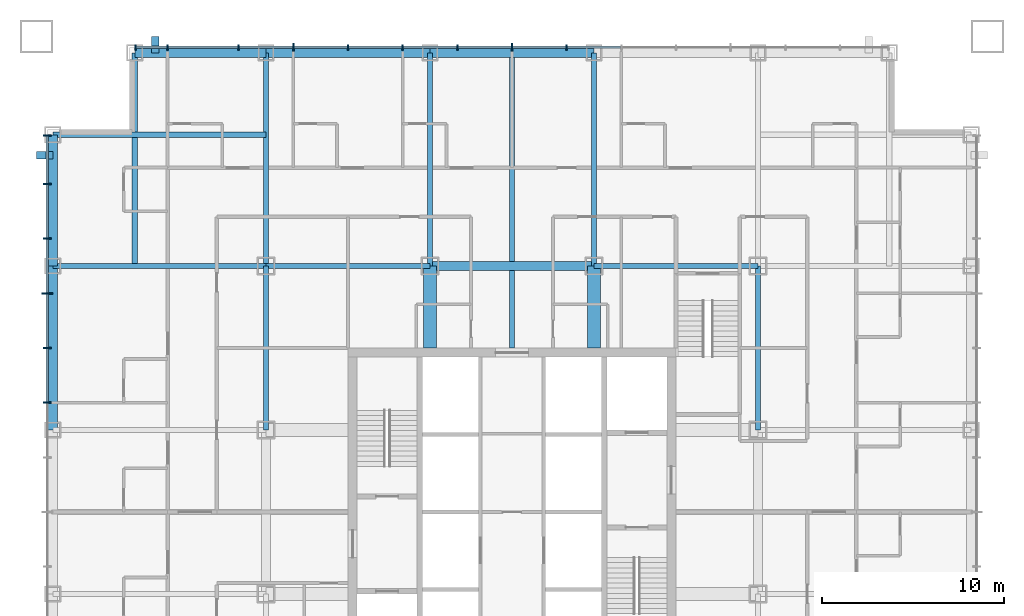
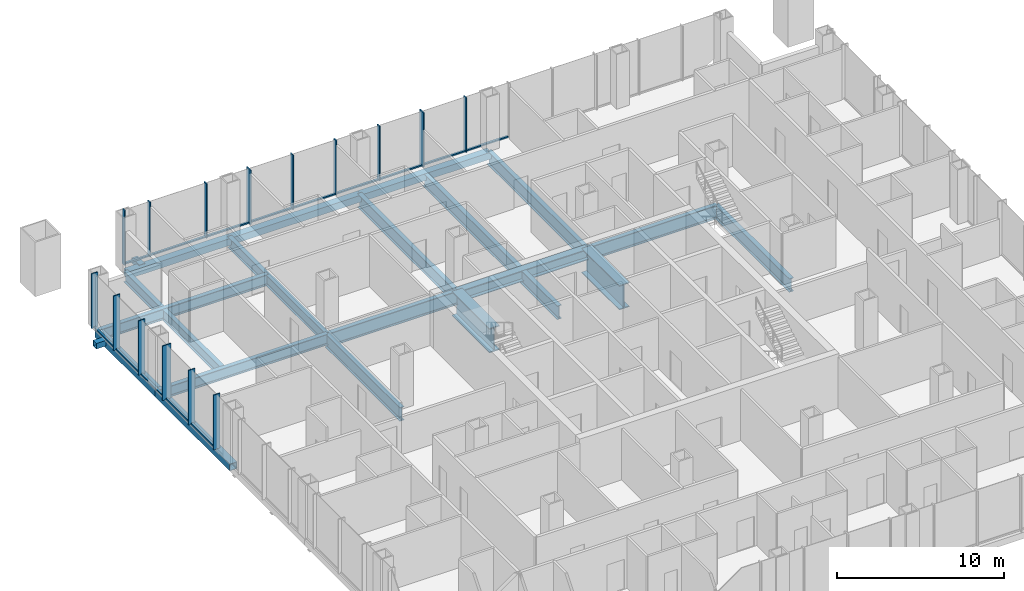
# One storey, part 4 of 12: 31 members, 19 beams, 2 elements without a shape of their own.
"""IFC4 building model written with IfcOpenShell, lengths in metres."""

from ifc_helpers import new_model, si_unit, direction, frame, origin, origin_2d, place, context, subcontext, project, spatial, rectangle, hollow_rectangle, i_section, extrude, material, layer, layer_set, material_profile, profile_set, type_object, element, aggregate, save


model = new_model("IFC4")

# Units and contexts
model_context = context("Model", 3, precision=1e-05, world=origin(), true_north=direction((0.0, 1.0)))
body_context = subcontext(model_context, "Body", "Model", "MODEL_VIEW")
ifc_project = project(units=[si_unit("LENGTHUNIT", "METRE"), si_unit("AREAUNIT", "SQUARE_METRE"), si_unit("VOLUMEUNIT", "CUBIC_METRE"), si_unit("PLANEANGLEUNIT", "RADIAN"), si_unit("MASSUNIT", "GRAM", prefix="KILO")], contexts=[model_context])

# Site, building, storey
site_placement = place(None, origin())
site = spatial("IfcSite", under=ifc_project, at=site_placement, CompositionType="ELEMENT")
building_placement = place(site_placement, origin())
building = spatial("IfcBuilding", under=site, at=building_placement, Name="Malebo Sky Hospital", CompositionType="ELEMENT")
storey_placement = place(building_placement, frame((0.0, 0.0, 59.0)))
storey = spatial("IfcBuildingStorey", under=building, at=storey_placement, Name="L13", CompositionType="ELEMENT", Elevation=59.0)

# Curtain wall, members
ifc_material_1 = material(Name="Anodised aluminium, natural silver", Category="aluminium")
ifc_layer_1 = layer(ifc_material_1, 0.25)
ifc_layer_set_1 = layer_set([ifc_layer_1], Name="WARD CURTAIN WALL NORTH AND SOUTH")
curtain_wall_type_1 = type_object("IfcCurtainWallType", Name="WARD CURTAIN WALL NORTH AND SOUTH", PredefinedType="NOTDEFINED", material=ifc_layer_set_1)
curtain_wall_1_placement = place(storey_placement, origin())
curtain_wall_1 = element("IfcCurtainWall", 1, at=curtain_wall_1_placement, inside=storey, type_object=curtain_wall_type_1, Name="NS curtain wall N", PredefinedType="NOTDEFINED")
ifc_material_profile_1 = material_profile(ifc_material_1, rectangle(XDim=0.14990234375, YDim=0.10009765625, at=origin_2d()), Name="ALUMINIUM TRANSOM 150x100")
ifc_profile_set_1 = profile_set([ifc_material_profile_1], Name="Anodised aluminium, natural silver")
member_type_1 = type_object("IfcMemberType", Name="ALUMINIUM TRANSOM 150x100", PredefinedType="USERDEFINED", material=ifc_profile_set_1)
member_1_placement = place(storey_placement, frame((39.375, 87.5, 0.050048828125), z_axis=(1.0, 0.0, 0.0), x_axis=(0.0, 1.0, 0.0)))
member_1 = element("IfcMember", 2, at=member_1_placement, type_object=member_type_1, Name="Transom 1", ObjectType="TRANSOM", PredefinedType="USERDEFINED", context=body_context, shape_type="SweptSolid", body=[
    extrude(rectangle(XDim=0.14990234375, YDim=0.10009765625, at=origin_2d()), origin(), (0.0, 0.0, 1.0), 1.6875),
])
member_2_placement = place(storey_placement, frame((41.137451171875, 87.5, 0.050048828125), z_axis=(1.0, 0.0, 0.0), x_axis=(0.0, 1.0, 0.0)))
member_2 = element("IfcMember", 3, at=member_2_placement, type_object=member_type_1, Name="Transom 2", ObjectType="TRANSOM", PredefinedType="USERDEFINED", context=body_context, shape_type="SweptSolid", body=[
    extrude(rectangle(XDim=0.14990234375, YDim=0.10009765625, at=origin_2d()), origin(), (0.0, 0.0, 1.0), 3.824951171875),
])
member_3_placement = place(storey_placement, frame((45.03759765625, 87.5, 0.050048828125), z_axis=(1.0, 0.0, 0.0), x_axis=(0.0, 1.0, 0.0)))
member_3 = element("IfcMember", 4, at=member_3_placement, type_object=member_type_1, Name="Transom 3", ObjectType="TRANSOM", PredefinedType="USERDEFINED", context=body_context, shape_type="SweptSolid", body=[
    extrude(rectangle(XDim=0.14990234375, YDim=0.10009765625, at=origin_2d()), origin(), (0.0, 0.0, 1.0), 2.9248046875),
])
member_4_placement = place(storey_placement, frame((48.03759765625, 87.5, 0.050048828125), z_axis=(1.0, 0.0, 0.0), x_axis=(0.0, 1.0, 0.0)))
member_4 = element("IfcMember", 5, at=member_4_placement, type_object=member_type_1, Name="Transom 4", ObjectType="TRANSOM", PredefinedType="USERDEFINED", context=body_context, shape_type="SweptSolid", body=[
    extrude(rectangle(XDim=0.14990234375, YDim=0.10009765625, at=origin_2d()), origin(), (0.0, 0.0, 1.0), 2.9248046875),
])
member_5_placement = place(storey_placement, frame((51.03759765625, 87.5, 0.050048828125), z_axis=(1.0, 0.0, 0.0), x_axis=(0.0, 1.0, 0.0)))
member_5 = element("IfcMember", 6, at=member_5_placement, type_object=member_type_1, Name="Transom 5", ObjectType="TRANSOM", PredefinedType="USERDEFINED", context=body_context, shape_type="SweptSolid", body=[
    extrude(rectangle(XDim=0.14990234375, YDim=0.10009765625, at=origin_2d()), origin(), (0.0, 0.0, 1.0), 2.9248046875),
])
member_6_placement = place(storey_placement, frame((54.03759765625, 87.5, 0.050048828125), z_axis=(1.0, 0.0, 0.0), x_axis=(0.0, 1.0, 0.0)))
member_6 = element("IfcMember", 7, at=member_6_placement, type_object=member_type_1, Name="Transom 6", ObjectType="TRANSOM", PredefinedType="USERDEFINED", context=body_context, shape_type="SweptSolid", body=[
    extrude(rectangle(XDim=0.14990234375, YDim=0.10009765625, at=origin_2d()), origin(), (0.0, 0.0, 1.0), 2.9248046875),
])
member_7_placement = place(storey_placement, frame((57.03759765625, 87.5, 0.050048828125), z_axis=(1.0, 0.0, 0.0), x_axis=(0.0, 1.0, 0.0)))
member_7 = element("IfcMember", 8, at=member_7_placement, type_object=member_type_1, Name="Transom 7", ObjectType="TRANSOM", PredefinedType="USERDEFINED", context=body_context, shape_type="SweptSolid", body=[
    extrude(rectangle(XDim=0.14990234375, YDim=0.10009765625, at=origin_2d()), origin(), (0.0, 0.0, 1.0), 2.9248046875),
])
member_8_placement = place(storey_placement, frame((60.03759765625, 87.5, 0.050048828125), z_axis=(1.0, 0.0, 0.0), x_axis=(0.0, 1.0, 0.0)))
member_8 = element("IfcMember", 9, at=member_8_placement, type_object=member_type_1, Name="Transom 8", ObjectType="TRANSOM", PredefinedType="USERDEFINED", context=body_context, shape_type="SweptSolid", body=[
    extrude(rectangle(XDim=0.14990234375, YDim=0.10009765625, at=origin_2d()), origin(), (0.0, 0.0, 1.0), 2.9248046875),
])
member_9_placement = place(storey_placement, frame((63.03759765625, 87.5, 0.050048828125), z_axis=(1.0, 0.0, 0.0), x_axis=(0.0, 1.0, 0.0)))
member_9 = element("IfcMember", 10, at=member_9_placement, type_object=member_type_1, Name="Transom 9", ObjectType="TRANSOM", PredefinedType="USERDEFINED", context=body_context, shape_type="SweptSolid", body=[
    extrude(rectangle(XDim=0.14990234375, YDim=0.10009765625, at=origin_2d()), origin(), (0.0, 0.0, 1.0), 2.9248046875),
])

ifc_layer_2 = layer(ifc_material_1, 0.25)
ifc_layer_set_2 = layer_set([ifc_layer_2], Name="WARD CURTAIN WALL EAST AND WEST")
curtain_wall_type_2 = type_object("IfcCurtainWallType", Name="WARD CURTAIN WALL EAST AND WEST", PredefinedType="NOTDEFINED", material=ifc_layer_set_2)
curtain_wall_2_placement = place(storey_placement, origin())
curtain_wall_2 = element("IfcCurtainWall", 11, at=curtain_wall_2_placement, inside=storey, type_object=curtain_wall_type_2, Name="EW curtain wall W", PredefinedType="NOTDEFINED")
member_10_placement = place(storey_placement, frame((34.5, 68.03759765625, 0.050048828125), z_axis=(0.0, 1.0, 0.0), x_axis=(-1.0, 0.0, 0.0)))
member_10 = element("IfcMember", 12, at=member_10_placement, type_object=member_type_1, Name="Transom 10", ObjectType="TRANSOM", PredefinedType="USERDEFINED", context=body_context, shape_type="SweptSolid", body=[
    extrude(rectangle(XDim=0.14990234375, YDim=0.10009765625, at=origin_2d()), origin(), (0.0, 0.0, 1.0), 2.9248046875),
])
member_11_placement = place(storey_placement, frame((34.5, 71.03759765625, 0.050048828125), z_axis=(0.0, 1.0, 0.0), x_axis=(-1.0, 0.0, 0.0)))
member_11 = element("IfcMember", 13, at=member_11_placement, type_object=member_type_1, Name="Transom 11", ObjectType="TRANSOM", PredefinedType="USERDEFINED", context=body_context, shape_type="SweptSolid", body=[
    extrude(rectangle(XDim=0.14990234375, YDim=0.10009765625, at=origin_2d()), origin(), (0.0, 0.0, 1.0), 2.9248046875),
])
member_12_placement = place(storey_placement, frame((34.5, 74.03759765625, 0.050048828125), z_axis=(0.0, 1.0, 0.0), x_axis=(-1.0, 0.0, 0.0)))
member_12 = element("IfcMember", 14, at=member_12_placement, type_object=member_type_1, Name="Transom 12", ObjectType="TRANSOM", PredefinedType="USERDEFINED", context=body_context, shape_type="SweptSolid", body=[
    extrude(rectangle(XDim=0.14990234375, YDim=0.10009765625, at=origin_2d()), origin(), (0.0, 0.0, 1.0), 2.9248046875),
])
member_13_placement = place(storey_placement, frame((34.5, 77.03759765625, 0.050048828125), z_axis=(0.0, 1.0, 0.0), x_axis=(-1.0, 0.0, 0.0)))
member_13 = element("IfcMember", 15, at=member_13_placement, type_object=member_type_1, Name="Transom 13", ObjectType="TRANSOM", PredefinedType="USERDEFINED", context=body_context, shape_type="SweptSolid", body=[
    extrude(rectangle(XDim=0.14990234375, YDim=0.10009765625, at=origin_2d()), origin(), (0.0, 0.0, 1.0), 2.9248046875),
])
member_14_placement = place(storey_placement, frame((34.5, 80.03759765625, 0.050048828125), z_axis=(0.0, 1.0, 0.0), x_axis=(-1.0, 0.0, 0.0)))
member_14 = element("IfcMember", 16, at=member_14_placement, type_object=member_type_1, Name="Transom 14", ObjectType="TRANSOM", PredefinedType="USERDEFINED", context=body_context, shape_type="SweptSolid", body=[
    extrude(rectangle(XDim=0.14990234375, YDim=0.10009765625, at=origin_2d()), origin(), (0.0, 0.0, 1.0), 2.58740234375),
])

# Members
ifc_material_2 = material(Name="Steel S355", Category="steel")
ifc_material_profile_2 = material_profile(ifc_material_2, hollow_rectangle(XDim=0.39990234375, YDim=0.39990234375, WallThickness=0.02001953125, at=origin_2d()), Name="SHS 400x20")
ifc_profile_set_2 = profile_set([ifc_material_profile_2], Name="Steel S355")
member_type_2 = type_object("IfcMemberType", Name="BRACE STRUT SHS 400x20", PredefinedType="STRUT", material=ifc_profile_set_2)
for number, where, z_axis, x_axis, name in (
    (17, (40.425048828125, 88.10009765625, -0.39990234375), (0.0, -1.0, 0.0), (1.0, 0.0, 0.0), "Brace strut AN1 L13"),
    (18, (33.89990234375, 81.574951171875, -0.39990234375), (1.0, 0.0, 0.0), (0.0, 1.0, 0.0), "Brace strut AW2 L13"),
):
    element("IfcMember", number, at=place(storey_placement, frame(where, z_axis=z_axis, x_axis=x_axis)), inside=storey, type_object=member_type_2, Name=name, PredefinedType="STRUT", context=body_context, shape_type="SweptSolid", body=[
        extrude(hollow_rectangle(XDim=0.39990234375, YDim=0.39990234375, WallThickness=0.02001953125, at=origin_2d()), origin(), (0.0, 0.0, 1.0), 0.900146484375),
    ])

# Member
ifc_material_profile_3 = material_profile(ifc_material_1, rectangle(XDim=0.074951171875, YDim=0.300048828125, at=origin_2d()), Name="CW1 ALUMINIUM FIN MULLION 75x300")
ifc_profile_set_3 = profile_set([ifc_material_profile_3], Name="Anodised aluminium, natural silver")
member_type_3 = type_object("IfcMemberType", Name="CW1 ALUMINIUM FIN MULLION 75x300", PredefinedType="MULLION", material=ifc_profile_set_3)
member_15_placement = place(storey_placement, frame((39.33740234375, 87.5, 0.0), z_axis=(0.0, 0.0, 1.0), x_axis=(1.0, 0.0, 0.0)))
member_15 = element("IfcMember", 19, at=member_15_placement, type_object=member_type_3, Name="Fin mullion 1", PredefinedType="MULLION", context=body_context, shape_type="SweptSolid", body=[
    extrude(rectangle(XDim=0.074951171875, YDim=0.300048828125, at=origin_2d()), origin(), (0.0, 0.0, 1.0), 4.0),
])

member_16_placement = place(storey_placement, frame((41.10009765625, 87.5, 0.0), z_axis=(0.0, 0.0, 1.0), x_axis=(1.0, 0.0, 0.0)))
member_16 = element("IfcMember", 20, at=member_16_placement, type_object=member_type_3, Name="Fin mullion 2", PredefinedType="MULLION", context=body_context, shape_type="SweptSolid", body=[
    extrude(rectangle(XDim=0.074951171875, YDim=0.300048828125, at=origin_2d()), origin(), (0.0, 0.0, 1.0), 4.0),
])

member_17_placement = place(storey_placement, frame((45.0, 87.5, 0.0), z_axis=(0.0, 0.0, 1.0), x_axis=(1.0, 0.0, 0.0)))
member_17 = element("IfcMember", 21, at=member_17_placement, type_object=member_type_3, Name="Fin mullion 3", PredefinedType="MULLION", context=body_context, shape_type="SweptSolid", body=[
    extrude(rectangle(XDim=0.074951171875, YDim=0.300048828125, at=origin_2d()), origin(), (0.0, 0.0, 1.0), 4.0),
])

member_18_placement = place(storey_placement, frame((51.0, 87.5, 0.0), z_axis=(0.0, 0.0, 1.0), x_axis=(1.0, 0.0, 0.0)))
member_18 = element("IfcMember", 22, at=member_18_placement, type_object=member_type_3, Name="Fin mullion 5", PredefinedType="MULLION", context=body_context, shape_type="SweptSolid", body=[
    extrude(rectangle(XDim=0.074951171875, YDim=0.300048828125, at=origin_2d()), origin(), (0.0, 0.0, 1.0), 4.0),
])

member_19_placement = place(storey_placement, frame((54.0, 87.5, 0.0), z_axis=(0.0, 0.0, 1.0), x_axis=(1.0, 0.0, 0.0)))
member_19 = element("IfcMember", 23, at=member_19_placement, type_object=member_type_3, Name="Fin mullion 6", PredefinedType="MULLION", context=body_context, shape_type="SweptSolid", body=[
    extrude(rectangle(XDim=0.074951171875, YDim=0.300048828125, at=origin_2d()), origin(), (0.0, 0.0, 1.0), 4.0),
])

member_20_placement = place(storey_placement, frame((57.0, 87.5, 0.0), z_axis=(0.0, 0.0, 1.0), x_axis=(1.0, 0.0, 0.0)))
member_20 = element("IfcMember", 24, at=member_20_placement, type_object=member_type_3, Name="Fin mullion 7", PredefinedType="MULLION", context=body_context, shape_type="SweptSolid", body=[
    extrude(rectangle(XDim=0.074951171875, YDim=0.300048828125, at=origin_2d()), origin(), (0.0, 0.0, 1.0), 4.0),
])

member_21_placement = place(storey_placement, frame((63.0, 87.5, 0.0), z_axis=(0.0, 0.0, 1.0), x_axis=(1.0, 0.0, 0.0)))
member_21 = element("IfcMember", 25, at=member_21_placement, type_object=member_type_3, Name="Fin mullion 9", PredefinedType="MULLION", context=body_context, shape_type="SweptSolid", body=[
    extrude(rectangle(XDim=0.074951171875, YDim=0.300048828125, at=origin_2d()), origin(), (0.0, 0.0, 1.0), 4.0),
])

ifc_material_profile_4 = material_profile(ifc_material_1, rectangle(XDim=0.074951171875, YDim=0.449951171875, at=origin_2d()), Name="CW1 ALUMINIUM FIN MULLION 75x450")
ifc_profile_set_4 = profile_set([ifc_material_profile_4], Name="Anodised aluminium, natural silver")
member_type_4 = type_object("IfcMemberType", Name="CW1 ALUMINIUM FIN MULLION 75x450", PredefinedType="MULLION", material=ifc_profile_set_4)
member_22_placement = place(storey_placement, frame((48.0, 87.5, 0.0), z_axis=(0.0, 0.0, 1.0), x_axis=(1.0, 0.0, 0.0)))
member_22 = element("IfcMember", 26, at=member_22_placement, type_object=member_type_4, Name="Fin mullion 4", PredefinedType="MULLION", context=body_context, shape_type="SweptSolid", body=[
    extrude(rectangle(XDim=0.074951171875, YDim=0.449951171875, at=origin_2d()), origin(), (0.0, 0.0, 1.0), 4.0),
])

member_23_placement = place(storey_placement, frame((60.0, 87.5, 0.0), z_axis=(0.0, 0.0, 1.0), x_axis=(1.0, 0.0, 0.0)))
member_23 = element("IfcMember", 27, at=member_23_placement, type_object=member_type_4, Name="Fin mullion 8", PredefinedType="MULLION", context=body_context, shape_type="SweptSolid", body=[
    extrude(rectangle(XDim=0.074951171875, YDim=0.449951171875, at=origin_2d()), origin(), (0.0, 0.0, 1.0), 4.0),
])

aggregate(curtain_wall_1, [member_15, member_16, member_17, member_22, member_18, member_19, member_20, member_23, member_21, member_1, member_2, member_3, member_4, member_5, member_6, member_7, member_8, member_9])

ifc_material_profile_5 = material_profile(ifc_material_1, rectangle(XDim=0.074951171875, YDim=0.449951171875, at=origin_2d()), Name="CW2 ALUMINIUM FIN MULLION 75x450")
ifc_profile_set_5 = profile_set([ifc_material_profile_5], Name="Anodised aluminium, natural silver")
member_type_5 = type_object("IfcMemberType", Name="CW2 ALUMINIUM FIN MULLION 75x450", PredefinedType="MULLION", material=ifc_profile_set_5)
member_24_placement = place(storey_placement, frame((34.5, 68.0, 0.0), z_axis=(0.0, 0.0, 1.0), x_axis=(0.0, 1.0, 0.0)))
member_24 = element("IfcMember", 28, at=member_24_placement, type_object=member_type_5, Name="Fin mullion 10", PredefinedType="MULLION", context=body_context, shape_type="SweptSolid", body=[
    extrude(rectangle(XDim=0.074951171875, YDim=0.449951171875, at=origin_2d()), origin(), (0.0, 0.0, 1.0), 4.0),
])

member_25_placement = place(storey_placement, frame((34.5, 71.0, 0.0), z_axis=(0.0, 0.0, 1.0), x_axis=(0.0, 1.0, 0.0)))
member_25 = element("IfcMember", 29, at=member_25_placement, type_object=member_type_5, Name="Fin mullion 11", PredefinedType="MULLION", context=body_context, shape_type="SweptSolid", body=[
    extrude(rectangle(XDim=0.074951171875, YDim=0.449951171875, at=origin_2d()), origin(), (0.0, 0.0, 1.0), 4.0),
])

member_26_placement = place(storey_placement, frame((34.5, 77.0, 0.0), z_axis=(0.0, 0.0, 1.0), x_axis=(0.0, 1.0, 0.0)))
member_26 = element("IfcMember", 30, at=member_26_placement, type_object=member_type_5, Name="Fin mullion 13", PredefinedType="MULLION", context=body_context, shape_type="SweptSolid", body=[
    extrude(rectangle(XDim=0.074951171875, YDim=0.449951171875, at=origin_2d()), origin(), (0.0, 0.0, 1.0), 4.0),
])

member_27_placement = place(storey_placement, frame((34.5, 80.0, 0.0), z_axis=(0.0, 0.0, 1.0), x_axis=(0.0, 1.0, 0.0)))
member_27 = element("IfcMember", 31, at=member_27_placement, type_object=member_type_5, Name="Fin mullion 14", PredefinedType="MULLION", context=body_context, shape_type="SweptSolid", body=[
    extrude(rectangle(XDim=0.074951171875, YDim=0.449951171875, at=origin_2d()), origin(), (0.0, 0.0, 1.0), 4.0),
])

member_28_placement = place(storey_placement, frame((34.5, 82.66259765625, 0.0), z_axis=(0.0, 0.0, 1.0), x_axis=(0.0, 1.0, 0.0)))
member_28 = element("IfcMember", 32, at=member_28_placement, type_object=member_type_5, Name="Fin mullion 15", PredefinedType="MULLION", context=body_context, shape_type="SweptSolid", body=[
    extrude(rectangle(XDim=0.074951171875, YDim=0.449951171875, at=origin_2d()), origin(), (0.0, 0.0, 1.0), 4.0),
])

ifc_material_profile_6 = material_profile(ifc_material_1, rectangle(XDim=0.074951171875, YDim=0.60009765625, at=origin_2d()), Name="CW2 ALUMINIUM FIN MULLION 75x600")
ifc_profile_set_6 = profile_set([ifc_material_profile_6], Name="Anodised aluminium, natural silver")
member_type_6 = type_object("IfcMemberType", Name="CW2 ALUMINIUM FIN MULLION 75x600", PredefinedType="MULLION", material=ifc_profile_set_6)
member_29_placement = place(storey_placement, frame((34.5, 74.0, 0.0), z_axis=(0.0, 0.0, 1.0), x_axis=(0.0, 1.0, 0.0)))
member_29 = element("IfcMember", 33, at=member_29_placement, type_object=member_type_6, Name="Fin mullion 12", PredefinedType="MULLION", context=body_context, shape_type="SweptSolid", body=[
    extrude(rectangle(XDim=0.074951171875, YDim=0.60009765625, at=origin_2d()), origin(), (0.0, 0.0, 1.0), 4.0),
])

aggregate(curtain_wall_2, [member_24, member_25, member_29, member_26, member_27, member_28, member_10, member_11, member_12, member_13, member_14])

# Beams
ifc_material_3 = material(Name="Steel S460", Category="steel")
ifc_material_profile_7 = material_profile(ifc_material_3, hollow_rectangle(XDim=0.5, YDim=0.5, WallThickness=0.030029296875, at=origin_2d()), Name="BOX 500x500x30")
ifc_profile_set_7 = profile_set([ifc_material_profile_7], Name="Steel S460")
beam_type_1 = type_object("IfcBeamType", Name="EDGE BEAM BOX 500x500x30", PredefinedType="BEAM", material=ifc_profile_set_7)
beam_1_placement = place(storey_placement, frame((34.800048828125, 66.5, -0.5), z_axis=(0.0, 1.0, 0.0), x_axis=(-1.0, 0.0, 0.0)))
element("IfcBeam", 34, at=beam_1_placement, inside=storey, type_object=beam_type_1, Name="Beam 003 L13", PredefinedType="BEAM", context=body_context, shape_type="SweptSolid", body=[
    extrude(hollow_rectangle(XDim=0.5, YDim=0.5, WallThickness=0.030029296875, at=origin_2d()), origin(), (0.0, 0.0, 1.0), 9.0),
])
for number, where, z_axis, x_axis, name in (
    (35, (34.800048828125, 75.5, -0.5), (0.0, 1.0, 0.0), (-1.0, 0.0, 0.0), "Beam 004 L13"),
    (36, (39.300048828125, 87.199951171875, -0.5), (1.0, 0.0, 0.0), (0.0, 1.0, 0.0), "Beam 063 L13"),
):
    element("IfcBeam", number, at=place(storey_placement, frame(where, z_axis=z_axis, x_axis=x_axis)), inside=storey, type_object=beam_type_1, Name=name, PredefinedType="BEAM", context=body_context, shape_type="SweptSolid", body=[
        extrude(hollow_rectangle(XDim=0.5, YDim=0.5, WallThickness=0.030029296875, at=origin_2d()), origin(), (0.0, 0.0, 1.0), 7.199951171875),
    ])
for number, where, z_axis, x_axis, name in (
    (37, (46.5, 87.199951171875, -0.5), (1.0, 0.0, 0.0), (0.0, 1.0, 0.0), "Beam 064 L13"),
    (38, (55.5, 87.199951171875, -0.5), (1.0, 0.0, 0.0), (0.0, 1.0, 0.0), "Beam 065 L13"),
):
    element("IfcBeam", number, at=place(storey_placement, frame(where, z_axis=z_axis, x_axis=x_axis)), inside=storey, type_object=beam_type_1, Name=name, PredefinedType="BEAM", context=body_context, shape_type="SweptSolid", body=[
        extrude(hollow_rectangle(XDim=0.5, YDim=0.5, WallThickness=0.030029296875, at=origin_2d()), origin(), (0.0, 0.0, 1.0), 9.0),
    ])
ifc_material_profile_8 = material_profile(ifc_material_2, i_section(OverallWidth=0.300048828125, OverallDepth=1.0, WebThickness=0.01904296875, FlangeThickness=0.035888671875, FilletRadius=0.030029296875, at=origin_2d()), Name="HEB 1000")
ifc_profile_set_8 = profile_set([ifc_material_profile_8], Name="Steel S355")
beam_type_2 = type_object("IfcBeamType", Name="FLOOR BEAM HEB 1000", PredefinedType="BEAM", material=ifc_profile_set_8)
beam_2_placement = place(storey_placement, frame((46.5, 66.5, -0.75), z_axis=(0.0, 1.0, 0.0), x_axis=(-1.0, 0.0, 0.0)))
element("IfcBeam", 39, at=beam_2_placement, inside=storey, type_object=beam_type_2, Name="Beam 010 L13", PredefinedType="BEAM", context=body_context, shape_type="SweptSolid", body=[
    extrude(i_section(OverallWidth=0.300048828125, OverallDepth=1.0, WebThickness=0.01904296875, FlangeThickness=0.035888671875, FilletRadius=0.030029296875, at=origin_2d()), origin(), (0.0, 0.0, 1.0), 9.0),
])
beam_3_placement = place(storey_placement, frame((55.5, 75.5, -0.75), z_axis=(0.0, 1.0, 0.0), x_axis=(-1.0, 0.0, 0.0)))
element("IfcBeam", 40, at=beam_3_placement, inside=storey, type_object=beam_type_2, Name="Beam 015 L13", PredefinedType="BEAM", context=body_context, shape_type="SweptSolid", body=[
    extrude(i_section(OverallWidth=0.300048828125, OverallDepth=1.0, WebThickness=0.01904296875, FlangeThickness=0.035888671875, FilletRadius=0.030029296875, at=origin_2d()), origin(), (0.0, 0.0, 1.0), 11.699951171875),
])
beam_4_placement = place(storey_placement, frame((60.0, 71.0, -0.75), z_axis=(0.0, 1.0, 0.0), x_axis=(-1.0, 0.0, 0.0)))
element("IfcBeam", 41, at=beam_4_placement, inside=storey, type_object=beam_type_2, Name="Beam 017 L13", PredefinedType="BEAM", context=body_context, shape_type="SweptSolid", body=[
    extrude(i_section(OverallWidth=0.300048828125, OverallDepth=1.0, WebThickness=0.01904296875, FlangeThickness=0.035888671875, FilletRadius=0.030029296875, at=origin_2d()), origin(), (0.0, 0.0, 1.0), 16.199951171875),
])
beam_5_placement = place(storey_placement, frame((64.5, 75.5, -0.75), z_axis=(0.0, 1.0, 0.0), x_axis=(-1.0, 0.0, 0.0)))
element("IfcBeam", 42, at=beam_5_placement, inside=storey, type_object=beam_type_2, Name="Beam 021 L13", PredefinedType="BEAM", context=body_context, shape_type="SweptSolid", body=[
    extrude(i_section(OverallWidth=0.300048828125, OverallDepth=1.0, WebThickness=0.01904296875, FlangeThickness=0.035888671875, FilletRadius=0.030029296875, at=origin_2d()), origin(), (0.0, 0.0, 1.0), 11.699951171875),
])
for number, where, z_axis, x_axis, name in (
    (43, (73.5, 66.5, -0.75), (0.0, 1.0, 0.0), (-1.0, 0.0, 0.0), "Beam 025 L13"),
    (44, (46.5, 75.5, -0.75), (1.0, 0.0, 0.0), (0.0, 1.0, 0.0), "Beam 057 L13"),
    (45, (64.5, 75.5, -0.75), (1.0, 0.0, 0.0), (0.0, 1.0, 0.0), "Beam 059 L13"),
):
    element("IfcBeam", number, at=place(storey_placement, frame(where, z_axis=z_axis, x_axis=x_axis)), inside=storey, type_object=beam_type_2, Name=name, PredefinedType="BEAM", context=body_context, shape_type="SweptSolid", body=[
        extrude(i_section(OverallWidth=0.300048828125, OverallDepth=1.0, WebThickness=0.01904296875, FlangeThickness=0.035888671875, FilletRadius=0.030029296875, at=origin_2d()), origin(), (0.0, 0.0, 1.0), 9.0),
    ])
ifc_material_profile_9 = material_profile(ifc_material_2, i_section(OverallWidth=0.300048828125, OverallDepth=0.800048828125, WebThickness=0.017578125, FlangeThickness=0.032958984375, FilletRadius=0.030029296875, at=origin_2d()), Name="HEB 800")
ifc_profile_set_9 = profile_set([ifc_material_profile_9], Name="Steel S355")
beam_type_3 = type_object("IfcBeamType", Name="FLOOR BEAM HEB 800", PredefinedType="BEAM", material=ifc_profile_set_9)
for number, where, z_axis, x_axis, name in (
    (46, (39.300048828125, 75.5, -0.64990234375), (0.0, 1.0, 0.0), (-1.0, 0.0, 0.0), "Beam 006 L13"),
    (47, (34.800048828125, 82.699951171875, -0.64990234375), (1.0, 0.0, 0.0), (0.0, 1.0, 0.0), "Beam 061 L13"),
):
    element("IfcBeam", number, at=place(storey_placement, frame(where, z_axis=z_axis, x_axis=x_axis)), inside=storey, type_object=beam_type_3, Name=name, PredefinedType="BEAM", context=body_context, shape_type="SweptSolid", body=[
        extrude(i_section(OverallWidth=0.300048828125, OverallDepth=0.800048828125, WebThickness=0.017578125, FlangeThickness=0.032958984375, FilletRadius=0.030029296875, at=origin_2d()), origin(), (0.0, 0.0, 1.0), 11.699951171875),
    ])
ifc_material_profile_10 = material_profile(ifc_material_2, i_section(OverallWidth=0.699951171875, OverallDepth=1.800048828125, WebThickness=0.034912109375, FlangeThickness=0.070068359375, at=origin_2d()), Name="PG 1800x700x35x70")
ifc_profile_set_10 = profile_set([ifc_material_profile_10], Name="Steel S355")
beam_type_4 = type_object("IfcBeamType", Name="FLOOR BEAM PG 1800x700x35x70", PredefinedType="BEAM", material=ifc_profile_set_10)
for number, where, z_axis, x_axis, name in (
    (48, (55.5, 71.0, -1.14990234375), (0.0, 1.0, 0.0), (-1.0, 0.0, 0.0), "Beam 014 L13"),
    (49, (64.5, 71.0, -1.14990234375), (0.0, 1.0, 0.0), (-1.0, 0.0, 0.0), "Beam 020 L13"),
):
    element("IfcBeam", number, at=place(storey_placement, frame(where, z_axis=z_axis, x_axis=x_axis)), inside=storey, type_object=beam_type_4, Name=name, PredefinedType="BEAM", context=body_context, shape_type="SweptSolid", body=[
        extrude(i_section(OverallWidth=0.699951171875, OverallDepth=1.800048828125, WebThickness=0.034912109375, FlangeThickness=0.070068359375, at=origin_2d()), origin(), (0.0, 0.0, 1.0), 4.5),
    ])
ifc_material_profile_11 = material_profile(ifc_material_2, i_section(OverallWidth=0.300048828125, OverallDepth=0.800048828125, WebThickness=0.017578125, FlangeThickness=0.032958984375, FilletRadius=0.030029296875, at=origin_2d()), Name="HEB 800")
ifc_profile_set_11 = profile_set([ifc_material_profile_11], Name="Steel S355")
beam_type_5 = type_object("IfcBeamType", Name="FLOOR GIRDER HEB 800", PredefinedType="BEAM", material=ifc_profile_set_11)
for number, where, z_axis, x_axis, name in (
    (50, (46.5, 75.5, -0.64990234375), (0.0, 1.0, 0.0), (-1.0, 0.0, 0.0), "Beam 011 L13"),
    (51, (34.800048828125, 75.5, -0.64990234375), (1.0, 0.0, 0.0), (0.0, 1.0, 0.0), "Beam 056 L13"),
):
    element("IfcBeam", number, at=place(storey_placement, frame(where, z_axis=z_axis, x_axis=x_axis)), inside=storey, type_object=beam_type_5, Name=name, PredefinedType="BEAM", context=body_context, shape_type="SweptSolid", body=[
        extrude(i_section(OverallWidth=0.300048828125, OverallDepth=0.800048828125, WebThickness=0.017578125, FlangeThickness=0.032958984375, FilletRadius=0.030029296875, at=origin_2d()), origin(), (0.0, 0.0, 1.0), 11.699951171875),
    ])
ifc_material_profile_12 = material_profile(ifc_material_2, i_section(OverallWidth=0.5, OverallDepth=0.800048828125, WebThickness=0.030029296875, FlangeThickness=0.050048828125, at=origin_2d()), Name="PG 800x500x30x50")
ifc_profile_set_12 = profile_set([ifc_material_profile_12], Name="Steel S355")
beam_type_6 = type_object("IfcBeamType", Name="RING GIRDER PG 800x500x30x50", PredefinedType="BEAM", material=ifc_profile_set_12)
beam_6_placement = place(storey_placement, frame((55.5, 75.5, -0.64990234375), z_axis=(1.0, 0.0, 0.0), x_axis=(0.0, 1.0, 0.0)))
element("IfcBeam", 52, at=beam_6_placement, inside=storey, type_object=beam_type_6, Name="Beam 058 L13", PredefinedType="BEAM", context=body_context, shape_type="SweptSolid", body=[
    extrude(i_section(OverallWidth=0.5, OverallDepth=0.800048828125, WebThickness=0.030029296875, FlangeThickness=0.050048828125, at=origin_2d()), origin(), (0.0, 0.0, 1.0), 9.0),
])

save(model, "model.ifc")
